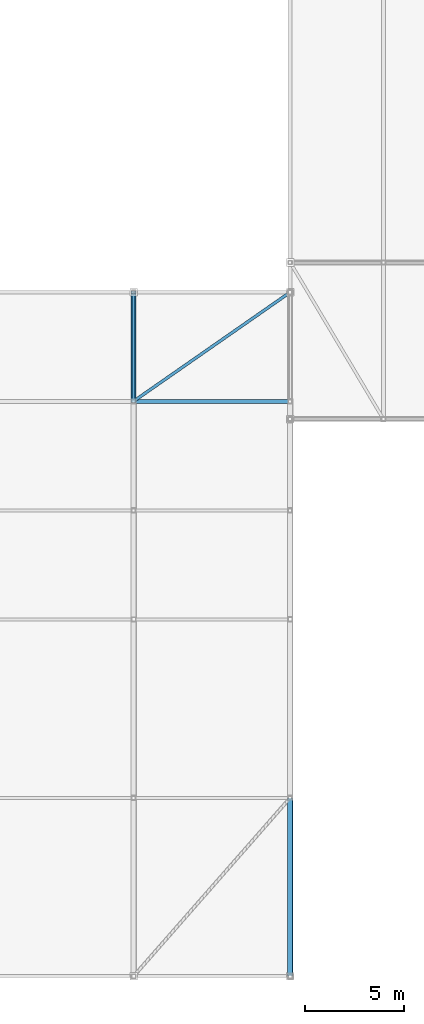
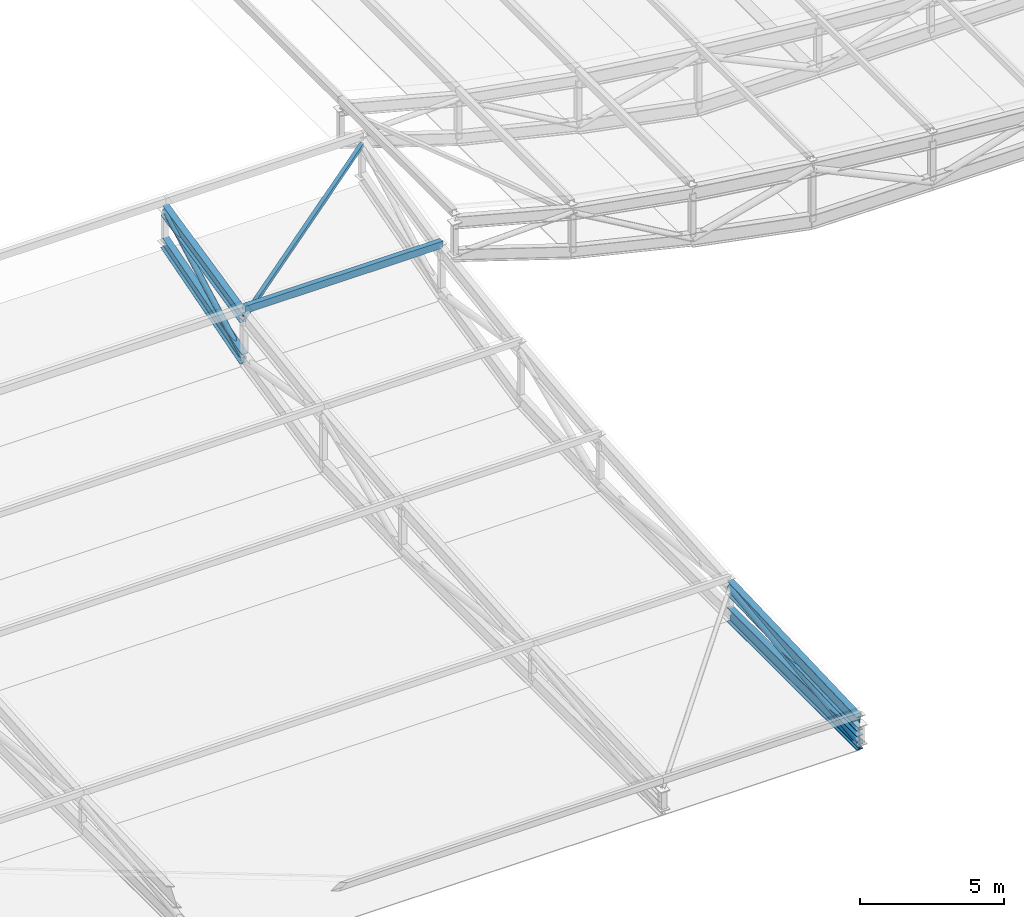
# One storey, part 44 of 114: 4 beams, 4 members.
"""IFC4 building model written with IfcOpenShell, lengths in metres."""

from ifc_helpers import new_model, si_unit, direction, frame, origin, origin_2d, place, context, subcontext, project, spatial, hollow_rectangle, hollow_circle, i_section, extrude, material, material_profile, profile_set, type_object, element, save


model = new_model("IFC4")

# Units and contexts
model_context = context("Model", 3, precision=1e-05, world=origin(), true_north=direction((0.0, 1.0)))
body_context = subcontext(model_context, "Body", "Model", "MODEL_VIEW")
ifc_project = project(units=[si_unit("LENGTHUNIT", "METRE"), si_unit("AREAUNIT", "SQUARE_METRE"), si_unit("VOLUMEUNIT", "CUBIC_METRE"), si_unit("PLANEANGLEUNIT", "RADIAN"), si_unit("MASSUNIT", "GRAM", prefix="KILO"), si_unit("THERMODYNAMICTEMPERATUREUNIT", "KELVIN"), si_unit("POWERUNIT", "WATT")], contexts=[model_context])

# Site, building, storey
site_placement = place(None, origin())
site = spatial("IfcSite", under=ifc_project, at=site_placement, CompositionType="ELEMENT")
building_placement = place(site_placement, origin())
building = spatial("IfcBuilding", under=site, at=building_placement, Name="Sindhuravela Promenade Stadium", CompositionType="ELEMENT")
storey_placement = place(building_placement, frame((0.0, 0.0, 24.0)))
storey = spatial("IfcBuildingStorey", under=building, at=storey_placement, Name="L05", CompositionType="ELEMENT", Elevation=24.0)

# Beams
ifc_material = material(Name="Steel E350 (IS 2062 E350BR)", Category="steel")
ifc_material_profile_1 = material_profile(ifc_material, i_section(OverallWidth=0.25, OverallDepth=0.5, WebThickness=0.010009765625, FlangeThickness=0.0146484375, FilletRadius=0.014892578125, at=origin_2d()), Name="ISWB 500")
ifc_profile_set_1 = profile_set([ifc_material_profile_1], Name="Steel E350 (IS 2062 E350BR)")
beam_type_1 = type_object("IfcBeamType", Name="ST-BM-WB500", PredefinedType="USERDEFINED", material=ifc_profile_set_1)
beam_1_placement = place(storey_placement, frame((153.0, 38.0, 3.169189453125), z_axis=(0.0, 0.9758669805330386, 0.2183658313595103), x_axis=(-1.0, 0.0, 0.0)))
element("IfcBeam", 1, at=beam_1_placement, inside=storey, type_object=beam_type_1, Name="Roof truss RT-S08 top chord 5", ObjectType="ROOF TRUSS", PredefinedType="USERDEFINED", context=body_context, shape_type="SweptSolid", body=[
    extrude(i_section(OverallWidth=0.25, OverallDepth=0.5, WebThickness=0.010009765625, FlangeThickness=0.0146484375, FilletRadius=0.014892578125, at=origin_2d()), origin(), (0.0, 0.0, 1.0), 5.635986328125),
])
beam_2_placement = place(storey_placement, frame((153.0, 38.0, 1.419189453125), z_axis=(0.0, 0.9599274278129861, 0.28024869907342015), x_axis=(-1.0, 0.0, 0.0)))
element("IfcBeam", 2, at=beam_2_placement, inside=storey, type_object=beam_type_1, Name="Roof truss RT-S08 bottom chord 5", ObjectType="ROOF TRUSS", PredefinedType="USERDEFINED", context=body_context, shape_type="SweptSolid", body=[
    extrude(i_section(OverallWidth=0.25, OverallDepth=0.5, WebThickness=0.010009765625, FlangeThickness=0.0146484375, FilletRadius=0.014892578125, at=origin_2d()), origin(), (0.0, 0.0, 1.0), 5.7294921875),
])
ifc_material_profile_2 = material_profile(ifc_material, i_section(OverallWidth=0.25, OverallDepth=0.60009765625, WebThickness=0.01171875, FlangeThickness=0.023681640625, FilletRadius=0.01708984375, at=origin_2d()), Name="ISWB 600")
ifc_profile_set_2 = profile_set([ifc_material_profile_2], Name="Steel E350 (IS 2062 E350BR)")
beam_type_2 = type_object("IfcBeamType", Name="ST-BM-WB600", PredefinedType="USERDEFINED", material=ifc_profile_set_2)
beam_3_placement = place(storey_placement, frame((160.89990234375, 9.0, 0.800048828125), z_axis=(0.0, 0.9993399990381225, 0.03632583546850814), x_axis=(-1.0, 0.0, 0.0)))
element("IfcBeam", 3, at=beam_3_placement, inside=storey, type_object=beam_type_2, Name="Roof truss RT-S09 top chord 1", ObjectType="ROOF TRUSS", PredefinedType="USERDEFINED", context=body_context, shape_type="SweptSolid", body=[
    extrude(i_section(OverallWidth=0.25, OverallDepth=0.60009765625, WebThickness=0.01171875, FlangeThickness=0.023681640625, FilletRadius=0.01708984375, at=origin_2d()), origin(), (0.0, 0.0, 1.0), 9.005859375),
])
beam_4_placement = place(storey_placement, frame((160.89990234375, 9.0, 0.0), z_axis=(0.0, 1.0, 0.0), x_axis=(-1.0, 0.0, 0.0)))
element("IfcBeam", 4, at=beam_4_placement, inside=storey, type_object=beam_type_2, Name="Roof truss RT-S09 bottom chord 1", ObjectType="ROOF TRUSS", PredefinedType="USERDEFINED", context=body_context, shape_type="SweptSolid", body=[
    extrude(i_section(OverallWidth=0.25, OverallDepth=0.60009765625, WebThickness=0.01171875, FlangeThickness=0.023681640625, FilletRadius=0.01708984375, at=origin_2d()), origin(), (0.0, 0.0, 1.0), 9.0),
])

# Members
ifc_material_profile_3 = material_profile(ifc_material, hollow_circle(Radius=0.109619140625, WallThickness=0.010009765625, at=origin_2d()), Name="CHS 219.1x10")
ifc_profile_set_3 = profile_set([ifc_material_profile_3], Name="Steel E350 (IS 2062 E350BR)")
member_type_1 = type_object("IfcMemberType", Name="ST-MB-CHS219", PredefinedType="BRACE", material=ifc_profile_set_3)
member_1_placement = place(storey_placement, frame((153.0, 38.0, 1.419189453125), z_axis=(0.0, 0.8791884339384995, 0.47647423605979855), x_axis=(-1.0, 0.0, 0.0)))
element("IfcMember", 5, at=member_1_placement, inside=storey, type_object=member_type_1, Name="Roof truss RT-S08 diagonal web 5", PredefinedType="BRACE", context=body_context, shape_type="SweptSolid", body=[
    extrude(hollow_circle(Radius=0.109619140625, WallThickness=0.010009765625, at=origin_2d()), origin(), (0.0, 0.0, 1.0), 6.255859375),
])
ifc_material_profile_4 = material_profile(ifc_material, hollow_circle(Radius=0.136474609375, WallThickness=0.010009765625, at=origin_2d()), Name="CHS 273.0x10")
ifc_profile_set_4 = profile_set([ifc_material_profile_4], Name="Steel E350 (IS 2062 E350BR)")
member_type_2 = type_object("IfcMemberType", Name="ST-MB-CHS273", PredefinedType="BRACE", material=ifc_profile_set_4)
member_2_placement = place(storey_placement, frame((160.89990234375, 9.0, 0.0), z_axis=(0.0, 0.9922480329009012, 0.12427325216752011), x_axis=(-1.0, 0.0, 0.0)))
element("IfcMember", 6, at=member_2_placement, inside=storey, type_object=member_type_2, Name="Roof truss RT-S09 diagonal web 1", PredefinedType="BRACE", context=body_context, shape_type="SweptSolid", body=[
    extrude(hollow_circle(Radius=0.136474609375, WallThickness=0.010009765625, at=origin_2d()), origin(), (0.0, 0.0, 1.0), 9.0703125),
])
ifc_material_profile_5 = material_profile(ifc_material, hollow_rectangle(XDim=0.199951171875, YDim=0.300048828125, WallThickness=0.010009765625, at=origin_2d()), Name="RHS 300x200x10")
ifc_profile_set_5 = profile_set([ifc_material_profile_5], Name="Steel E350 (IS 2062 E350BR)")
member_type_3 = type_object("IfcMemberType", Name="ST-MB-RHS300", PredefinedType="PURLIN", material=ifc_profile_set_5)
member_3_placement = place(storey_placement, frame((153.0, 38.0, 3.5361328125), z_axis=(1.0, 0.0, 0.0), x_axis=(0.0, 1.0, 0.0)))
element("IfcMember", 7, at=member_3_placement, inside=storey, type_object=member_type_3, Name="Roof purlin PR02 S bay 8.5", PredefinedType="PURLIN", context=body_context, shape_type="SweptSolid", body=[
    extrude(hollow_rectangle(XDim=0.199951171875, YDim=0.300048828125, WallThickness=0.010009765625, at=origin_2d()), origin(), (0.0, 0.0, 1.0), 7.89990234375),
])
ifc_material_profile_6 = material_profile(ifc_material, hollow_rectangle(XDim=0.14990234375, YDim=0.14990234375, WallThickness=0.008056640625, at=origin_2d()), Name="SHS 150x150x8")
ifc_profile_set_6 = profile_set([ifc_material_profile_6], Name="Steel E350 (IS 2062 E350BR)")
member_type_4 = type_object("IfcMemberType", Name="ST-MB-SHS150", PredefinedType="BRACE", material=ifc_profile_set_6)
member_4_placement = place(storey_placement, frame((153.0, 38.0, 3.169189453125), z_axis=(0.8140634635075852, 0.5667600502471994, 0.1268216181328184), x_axis=(-0.5713735833129875, 0.8206900927220192, 0.0)))
element("IfcMember", 8, at=member_4_placement, inside=storey, type_object=member_type_4, Name="Roof wind brace MB01 S bay 8", PredefinedType="BRACE", context=body_context, shape_type="SweptSolid", body=[
    extrude(hollow_rectangle(XDim=0.14990234375, YDim=0.14990234375, WallThickness=0.008056640625, at=origin_2d()), origin(), (0.0, 0.0, 1.0), 9.704345703125),
])

save(model, "model.ifc")
